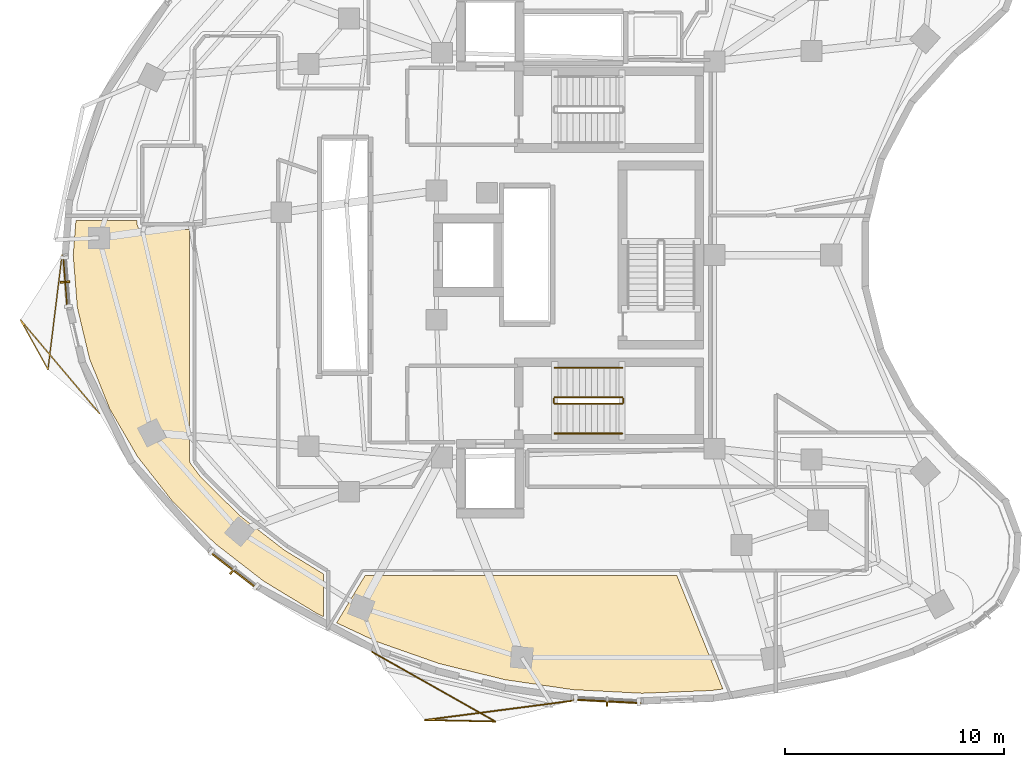
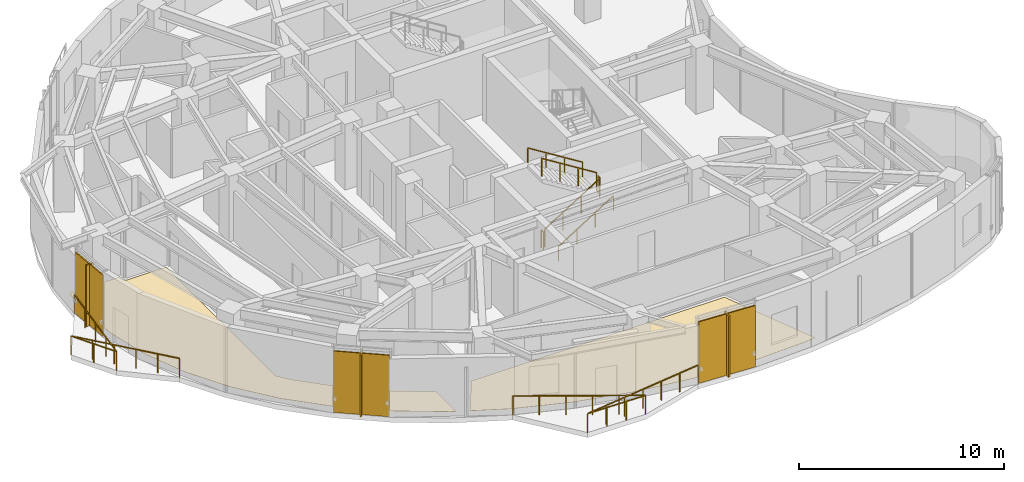
# One storey, part 11 of 13: 8 railings, 6 shading devices, 2 coverings.
"""IFC4 building model written with IfcOpenShell, lengths in metres."""

import ifcopenshell
import ifcopenshell.guid

model = None  # the IFC model being written
_history = None  # IfcOwnerHistory: only IFC2X3 demands one
_inside = {}  # id of a spatial element -> (the spatial element, [elements in it])
_under = {}  # id of a project, library or spatial element -> (it, [spatial elements below it])
_declared = {}  # id of a project -> (the project, [libraries it declares])
_typed = {}  # id of a type object -> (the type object, [elements of that type])
_made_of = {}  # id of a material, layer set ... -> (it, [elements and type objects made of it])


def new_model(schema):
    """Start an empty IFC model of exactly this schema.

    Asked for "IFC4X3", IfcOpenShell would pick the latest addendum, in which some entities
    have other attributes; the version numbers below select the first issue.
    IFC2X3 requires an IfcOwnerHistory on every rooted entity: one is made here for all.
    """
    global model, _history
    if schema == "IFC4X3":
        model = ifcopenshell.file(schema_version=(4, 3, 0, 0))
    else:
        model = ifcopenshell.file(schema=schema)
    _inside.clear()
    _under.clear()
    _declared.clear()
    _typed.clear()
    _made_of.clear()
    _history = None
    if model.schema == "IFC2X3":
        org = make("IfcOrganization", Name="unknown")
        user = make(
            "IfcPersonAndOrganization",
            ThePerson=make("IfcPerson", FamilyName="unknown"),
            TheOrganization=org,
        )
        app = make(
            "IfcApplication",
            ApplicationDeveloper=org,
            Version="unknown",
            ApplicationFullName="unknown",
            ApplicationIdentifier="unknown",
        )
        _history = make(
            "IfcOwnerHistory",
            OwningUser=user,
            OwningApplication=app,
            ChangeAction="ADDED",
            CreationDate=0,
        )
    return model


def make(cls, **values):
    """One entity of the class cls with the attributes given. An attribute that is None is left unset."""
    return model.create_entity(
        cls, **{name: value for name, value in values.items() if value is not None}
    )


def rooted(cls, **values):
    """An entity with a GlobalId (a new one), such as an element, a storey or a relation."""
    return make(cls, GlobalId=ifcopenshell.guid.new(), OwnerHistory=_history, **values)


def si_unit(unit_type, name, prefix=None):
    """IfcSIUnit, for example si_unit("LENGTHUNIT", "METRE", prefix="MILLI")."""
    return make("IfcSIUnit", UnitType=unit_type, Prefix=prefix, Name=name)


def assignment(units):
    """IfcUnitAssignment: the units of a project."""
    return None if units is None else make("IfcUnitAssignment", Units=units)


def point(xyz):
    """IfcCartesianPoint."""
    return None if xyz is None else make("IfcCartesianPoint", Coordinates=xyz)


def direction(xyz):
    """IfcDirection."""
    return None if xyz is None else make("IfcDirection", DirectionRatios=xyz)


def frame(location, z_axis=None, x_axis=None):
    """IfcAxis2Placement3D, a coordinate frame: its origin and axes. An axis left out is left unset."""
    return make(
        "IfcAxis2Placement3D",
        Location=point(location),
        Axis=direction(z_axis),
        RefDirection=direction(x_axis),
    )


def frame_2d(location, x_axis=None):
    """IfcAxis2Placement2D, a coordinate frame in the plane: its origin and x axis."""
    return make(
        "IfcAxis2Placement2D", Location=point(location), RefDirection=direction(x_axis)
    )


def origin():
    """The frame at (0, 0, 0) with its axes left unset."""
    return frame((0.0, 0.0, 0.0))


def origin_2d():
    """The frame at (0, 0) in the plane with its x axis left unset."""
    return frame_2d((0.0, 0.0))


def place(relative_to, where):
    """IfcLocalPlacement: puts the frame where relative to a parent placement (None: the world)."""
    return make(
        "IfcLocalPlacement", PlacementRelTo=relative_to, RelativePlacement=where
    )


def context(
    kind, dimensions, precision=None, world=None, true_north=None, identifier=None
):
    """IfcGeometricRepresentationContext, for example the 3D "Model" context."""
    return make(
        "IfcGeometricRepresentationContext",
        ContextIdentifier=identifier,
        ContextType=kind,
        CoordinateSpaceDimension=dimensions,
        Precision=precision,
        WorldCoordinateSystem=world,
        TrueNorth=true_north,
    )


def subcontext(parent, identifier, kind, view, scale=None):
    """IfcGeometricRepresentationSubContext, for example "Body" below "Model"."""
    return make(
        "IfcGeometricRepresentationSubContext",
        ContextIdentifier=identifier,
        ContextType=kind,
        ParentContext=parent,
        TargetScale=scale,
        TargetView=view,
    )


def project(units=None, contexts=None):
    """IfcProject with its units and contexts."""
    return rooted(
        "IfcProject",
        Name="project",
        RepresentationContexts=contexts,
        UnitsInContext=assignment(units),
    )


def spatial(cls, under=None, at=None, **own):
    """A site, building, storey or space (cls), placed at a placement, below another one or the project."""
    s = rooted(cls, ObjectPlacement=at, **own)
    if under is not None:
        _under.setdefault(under.id(), (under, []))[1].append(s)
    return s


def polyline(points):
    """IfcPolyline through the points."""
    return make("IfcPolyline", Points=[point(p) for p in points])


def profile(cls, at=None, kind="AREA", **sizes):
    """A parametric profile (cls). Its sizes go by their IFC names, for example OverallWidth=200.0."""
    return make(cls, ProfileType=kind, Position=at, **sizes)


def rectangle(**sizes):
    """IfcRectangleProfileDef."""
    return profile("IfcRectangleProfileDef", **sizes)


def outline(outer, holes=None, kind="AREA"):
    """IfcArbitraryClosedProfileDef: a profile drawn as a closed curve; with holes, ...WithVoids."""
    if holes is None:
        return make("IfcArbitraryClosedProfileDef", ProfileType=kind, OuterCurve=outer)
    return make(
        "IfcArbitraryProfileDefWithVoids",
        ProfileType=kind,
        OuterCurve=outer,
        InnerCurves=holes,
    )


def extrude(swept, where, along, depth):
    """IfcExtrudedAreaSolid: the profile swept, set in the frame where, extruded along a direction by depth."""
    return make(
        "IfcExtrudedAreaSolid",
        SweptArea=swept,
        Position=where,
        ExtrudedDirection=direction(along),
        Depth=depth,
    )


def shape(context_of_items, identifier, shape_type, items):
    """IfcShapeRepresentation: the items that make up one representation, for example the "Body"."""
    return make(
        "IfcShapeRepresentation",
        ContextOfItems=context_of_items,
        RepresentationIdentifier=identifier,
        RepresentationType=shape_type,
        Items=items,
    )


def material(Name=None, Category=None):
    """IfcMaterial."""
    return make("IfcMaterial", Name=Name, Category=Category)


def layer(
    of_material, thickness, ventilated=None, Name=None, Category=None, Priority=None
):
    """IfcMaterialLayer: one layer of a wall or slab, of a material (None: an air gap)."""
    return make(
        "IfcMaterialLayer",
        Material=of_material,
        LayerThickness=thickness,
        IsVentilated=ventilated,
        Name=Name,
        Category=Category,
        Priority=Priority,
    )


def layer_set(layers, Name=None):
    """IfcMaterialLayerSet."""
    return make("IfcMaterialLayerSet", MaterialLayers=layers, LayerSetName=Name)


def made_of(thing, what):
    """Note that an element or type object is made of a material, layer set ...; save() writes the relation."""
    if what is not None:
        _made_of.setdefault(what.id(), (what, []))[1].append(thing)
    return thing


def type_object(cls, material=None, **own):
    """A type object (cls), such as IfcWallType, which elements share."""
    return made_of(rooted(cls, **own), material)


def element(
    cls,
    number,
    at=None,
    inside=None,
    cuts=None,
    type_object=None,
    material=None,
    context=None,
    identifier="Body",
    shape_type=None,
    held_by="IfcProductDefinitionShape",
    body=None,
    shapes=None,
    **own,
):
    """One element of the class cls, such as IfcWall. Its Tag is "e" and its number.

    at: its placement. inside: the storey or other place that contains it. cuts: it is an
    opening in that element (IfcRelVoidsElement). A single representation is given by context,
    identifier, shape_type and body (its items); several are given by shapes. held_by: the class
    of the entity that holds the representations. save() writes the other relations.
    """
    e = rooted(cls, Tag="e%d" % number, ObjectPlacement=at, **own)
    if body is not None:
        shapes = [shape(context, identifier, shape_type, body)]
    if shapes is not None:
        e.Representation = make(held_by, Representations=shapes)
    if inside is not None:
        _inside.setdefault(inside.id(), (inside, []))[1].append(e)
    if cuts is not None:
        rooted(
            "IfcRelVoidsElement", RelatingBuildingElement=cuts, RelatedOpeningElement=e
        )
    if type_object is not None:
        _typed.setdefault(type_object.id(), (type_object, []))[1].append(e)
    return made_of(e, material)


def aggregate(whole, parts):
    """IfcRelAggregates: a whole, such as a stair, and the parts it consists of."""
    return rooted("IfcRelAggregates", RelatingObject=whole, RelatedObjects=parts)


def save(model, path):
    """Write the relations noted so far, then the file.

    IfcRelAggregates (storeys below a building ...), IfcRelContainedInSpatialStructure (elements
    in a storey), IfcRelDefinesByType, IfcRelAssociatesMaterial and IfcRelDeclares: one each for
    every whole, place, type object, material and project.
    """
    for whole, parts in _under.values():
        aggregate(whole, parts)
    for where, things in _inside.values():
        rooted(
            "IfcRelContainedInSpatialStructure",
            RelatedElements=things,
            RelatingStructure=where,
        )
    for kind, things in _typed.values():
        rooted("IfcRelDefinesByType", RelatedObjects=things, RelatingType=kind)
    for what, things in _made_of.values():
        rooted("IfcRelAssociatesMaterial", RelatedObjects=things, RelatingMaterial=what)
    for by, libraries in _declared.values():
        rooted("IfcRelDeclares", RelatingContext=by, RelatedDefinitions=libraries)
    model.write(path)


model = new_model("IFC4")

# Units and contexts
model_context = context("Model", 3, precision=1e-05, world=origin(), true_north=direction((0.0, 1.0)))
body_context = subcontext(model_context, "Body", "Model", "MODEL_VIEW")
ifc_project = project(units=[si_unit("LENGTHUNIT", "METRE"), si_unit("AREAUNIT", "SQUARE_METRE"), si_unit("VOLUMEUNIT", "CUBIC_METRE"), si_unit("PLANEANGLEUNIT", "RADIAN"), si_unit("MASSUNIT", "GRAM", prefix="KILO")], contexts=[model_context])

# Site, building, storey
site_placement = place(None, origin())
site = spatial("IfcSite", under=ifc_project, at=site_placement, CompositionType="ELEMENT")
building_placement = place(site_placement, origin())
building = spatial("IfcBuilding", under=site, at=building_placement, Name="Korentha Bioscience Tower", CompositionType="ELEMENT")
storey_placement = place(building_placement, frame((0.0, 0.0, 192.0)))
storey = spatial("IfcBuildingStorey", under=building, at=storey_placement, Name="L44", CompositionType="ELEMENT", Elevation=192.0)

# Railings
ifc_material_1 = material(Name="Stainless Steel 304", Category="steel")
railing_type_1 = type_object("IfcRailingType", Name="Brushed Stainless Stair Handrail 900", PredefinedType="HANDRAIL", material=ifc_material_1)
railing_1_placement = place(storey_placement, frame((30.25, 18.85009765625, 0.175048828125)))
element("IfcRailing", 1, at=railing_1_placement, inside=storey, type_object=railing_type_1, Name="L44 ST-2 stair handrail 1", PredefinedType="HANDRAIL", context=body_context, shape_type="SweptSolid", body=[
    extrude(rectangle(XDim=0.048095703125, YDim=0.048095703125, at=origin_2d()), frame((0.0, 0.0, 0.8759765625), z_axis=(0.847998304005, 0.0, 0.529998940003), x_axis=(0.0, 1.0, 0.0)), (0.0, 0.0, 1.0), 3.632080078125),
    extrude(rectangle(XDim=0.0419921875, YDim=0.0419921875, at=origin_2d()), origin(), (0.0, 0.0, 1.0), 0.851806640625),
    extrude(rectangle(XDim=0.0419921875, YDim=0.0419921875, at=origin_2d()), frame((1.026611328125, 0.0, 0.6416015625)), (0.0, 0.0, 1.0), 0.851806640625),
    extrude(rectangle(XDim=0.0419921875, YDim=0.0419921875, at=origin_2d()), frame((2.053466796875, 0.0, 1.283447265625)), (0.0, 0.0, 1.0), 0.851806640625),
    extrude(rectangle(XDim=0.0419921875, YDim=0.0419921875, at=origin_2d()), frame((3.080078125, 0.0, 1.925048828125)), (0.0, 0.0, 1.0), 0.851806640625),
])
railing_2_placement = place(storey_placement, frame((33.330078125, 21.85009765625, 2.27490234375)))
element("IfcRailing", 2, at=railing_2_placement, inside=storey, type_object=railing_type_1, Name="L44 ST-2 stair handrail 2", PredefinedType="HANDRAIL", context=body_context, shape_type="SweptSolid", body=[
    extrude(rectangle(XDim=0.048095703125, YDim=0.048095703125, at=origin_2d()), frame((0.0, 0.0, 0.8759765625), z_axis=(-0.847998304005, 0.0, 0.529998940003), x_axis=(0.0, -1.0, 0.0)), (0.0, 0.0, 1.0), 3.632080078125),
    extrude(rectangle(XDim=0.0419921875, YDim=0.0419921875, at=origin_2d()), origin(), (0.0, 0.0, 1.0), 0.851806640625),
    extrude(rectangle(XDim=0.0419921875, YDim=0.0419921875, at=origin_2d()), frame((-1.026611328125, 0.0, 0.6416015625)), (0.0, 0.0, 1.0), 0.851806640625),
    extrude(rectangle(XDim=0.0419921875, YDim=0.0419921875, at=origin_2d()), frame((-2.053466796875, 0.0, 1.283447265625)), (0.0, 0.0, 1.0), 0.851806640625),
    extrude(rectangle(XDim=0.0419921875, YDim=0.0419921875, at=origin_2d()), frame((-3.080078125, 0.0, 1.925048828125)), (0.0, 0.0, 1.0), 0.851806640625),
])
ifc_material_2 = material(Name="Laminated Tempered Safety Glass", Category="glass")
railing_type_2 = type_object("IfcRailingType", Name="Laminated Glass Balcony Guardrail 1150", PredefinedType="BALUSTRADE", material=ifc_material_2)
railing_3_placement = place(storey_placement, frame((7.736083984375, 27.0, 0.0)))
element("IfcRailing", 3, at=railing_3_placement, inside=storey, type_object=railing_type_2, Name="L44 Balcony Guardrail 02", PredefinedType="BALUSTRADE", context=body_context, shape_type="SweptSolid", body=[
    extrude(rectangle(XDim=0.048095703125, YDim=0.048095703125, at=origin_2d()), frame((0.0, 0.0, 1.1259765625), z_axis=(-0.122025166092, -0.992527006605, 0.0), x_axis=(0.992527006605, -0.122025166092, 0.0)), (0.0, 0.0, 1.0), 5.263916015625),
    extrude(rectangle(XDim=0.048095703125, YDim=0.048095703125, at=origin_2d()), frame((-0.642333984375, -5.224609375, 1.1259765625), z_axis=(-0.485098789135, 0.874459355705, 0.0), x_axis=(-0.874459355705, -0.485098789135, 0.0)), (0.0, 0.0, 1.0), 2.5908203125),
    extrude(rectangle(XDim=0.048095703125, YDim=0.048095703125, at=origin_2d()), frame((-1.899169921875, -2.958984375, 1.1259765625), z_axis=(0.644919398028, -0.76425059375, 0.0), x_axis=(0.76425059375, 0.644919398028, 0.0)), (0.0, 0.0, 1.0), 5.60986328125),
    extrude(rectangle(XDim=0.0419921875, YDim=0.0419921875, at=origin_2d()), origin(), (0.0, 0.0, 1.0), 1.101806640625),
    extrude(rectangle(XDim=0.0419921875, YDim=0.0419921875, at=origin_2d()), frame((-0.16064453125, -1.30615234375, 0.0)), (0.0, 0.0, 1.0), 1.101806640625),
    extrude(rectangle(XDim=0.0419921875, YDim=0.0419921875, at=origin_2d()), frame((-0.3212890625, -2.6123046875, 0.0)), (0.0, 0.0, 1.0), 1.101806640625),
    extrude(rectangle(XDim=0.0419921875, YDim=0.0419921875, at=origin_2d()), frame((-0.481689453125, -3.91845703125, 0.0)), (0.0, 0.0, 1.0), 1.101806640625),
    extrude(rectangle(XDim=0.0419921875, YDim=0.0419921875, at=origin_2d()), frame((-0.642333984375, -5.224609375, 0.0)), (0.0, 0.0, 1.0), 1.101806640625),
    extrude(rectangle(XDim=0.0419921875, YDim=0.0419921875, at=origin_2d()), frame((-1.270751953125, -4.091796875, 0.0)), (0.0, 0.0, 1.0), 1.101806640625),
    extrude(rectangle(XDim=0.0419921875, YDim=0.0419921875, at=origin_2d()), frame((-1.899169921875, -2.958984375, 0.0)), (0.0, 0.0, 1.0), 1.101806640625),
    extrude(rectangle(XDim=0.0419921875, YDim=0.0419921875, at=origin_2d()), frame((-1.175537109375, -3.81640625, 0.0)), (0.0, 0.0, 1.0), 1.101806640625),
    extrude(rectangle(XDim=0.0419921875, YDim=0.0419921875, at=origin_2d()), frame((-0.451904296875, -4.673828125, 0.0)), (0.0, 0.0, 1.0), 1.101806640625),
    extrude(rectangle(XDim=0.0419921875, YDim=0.0419921875, at=origin_2d()), frame((0.271484375, -5.531494140625, 0.0)), (0.0, 0.0, 1.0), 1.101806640625),
    extrude(rectangle(XDim=0.0419921875, YDim=0.0419921875, at=origin_2d()), frame((0.9951171875, -6.388916015625, 0.0)), (0.0, 0.0, 1.0), 1.101806640625),
    extrude(rectangle(XDim=0.0419921875, YDim=0.0419921875, at=origin_2d()), frame((1.71875, -7.246337890625, 0.0)), (0.0, 0.0, 1.0), 1.101806640625),
])
railing_4_placement = place(storey_placement, frame((21.907470703125, 8.871337890625, 0.0)))
element("IfcRailing", 4, at=railing_4_placement, inside=storey, type_object=railing_type_2, Name="L44 Balcony Guardrail 03", PredefinedType="BALUSTRADE", context=body_context, shape_type="SweptSolid", body=[
    extrude(rectangle(XDim=0.048095703125, YDim=0.048095703125, at=origin_2d()), frame((0.0, 0.0, 1.1259765625), z_axis=(0.870664024138, -0.491878193327, 0.0), x_axis=(0.491878193327, 0.870664024138, 0.0)), (0.0, 0.0, 1.0), 6.4697265625),
    extrude(rectangle(XDim=0.048095703125, YDim=0.048095703125, at=origin_2d()), frame((5.633056640625, -3.182373046875, 1.1259765625), z_axis=(-0.99977218626, 0.021344216559, 0.0), x_axis=(-0.021344216559, -0.99977218626, 0.0)), (0.0, 0.0, 1.0), 3.2255859375),
    extrude(rectangle(XDim=0.048095703125, YDim=0.048095703125, at=origin_2d()), frame((2.408203125, -3.113525390625, 1.1259765625), z_axis=(0.99157569469, 0.129528536236, 0.0), x_axis=(-0.129528536236, 0.99157569469, 0.0)), (0.0, 0.0, 1.0), 6.77978515625),
    extrude(rectangle(XDim=0.0419921875, YDim=0.0419921875, at=origin_2d()), origin(), (0.0, 0.0, 1.0), 1.101806640625),
    extrude(rectangle(XDim=0.0419921875, YDim=0.0419921875, at=origin_2d()), frame((1.126708984375, -0.636474609375, 0.0)), (0.0, 0.0, 1.0), 1.101806640625),
    extrude(rectangle(XDim=0.0419921875, YDim=0.0419921875, at=origin_2d()), frame((2.253173828125, -1.27294921875, 0.0)), (0.0, 0.0, 1.0), 1.101806640625),
    extrude(rectangle(XDim=0.0419921875, YDim=0.0419921875, at=origin_2d()), frame((3.3798828125, -1.909423828125, 0.0)), (0.0, 0.0, 1.0), 1.101806640625),
    extrude(rectangle(XDim=0.0419921875, YDim=0.0419921875, at=origin_2d()), frame((4.50634765625, -2.5458984375, 0.0)), (0.0, 0.0, 1.0), 1.101806640625),
    extrude(rectangle(XDim=0.0419921875, YDim=0.0419921875, at=origin_2d()), frame((5.633056640625, -3.182373046875, 0.0)), (0.0, 0.0, 1.0), 1.101806640625),
    extrude(rectangle(XDim=0.0419921875, YDim=0.0419921875, at=origin_2d()), frame((4.55810546875, -3.159423828125, 0.0)), (0.0, 0.0, 1.0), 1.101806640625),
    extrude(rectangle(XDim=0.0419921875, YDim=0.0419921875, at=origin_2d()), frame((3.483154296875, -3.136474609375, 0.0)), (0.0, 0.0, 1.0), 1.101806640625),
    extrude(rectangle(XDim=0.0419921875, YDim=0.0419921875, at=origin_2d()), frame((2.408203125, -3.113525390625, 0.0)), (0.0, 0.0, 1.0), 1.101806640625),
    extrude(rectangle(XDim=0.0419921875, YDim=0.0419921875, at=origin_2d()), frame((3.528564453125, -2.96728515625, 0.0)), (0.0, 0.0, 1.0), 1.101806640625),
    extrude(rectangle(XDim=0.0419921875, YDim=0.0419921875, at=origin_2d()), frame((4.649169921875, -2.82080078125, 0.0)), (0.0, 0.0, 1.0), 1.101806640625),
    extrude(rectangle(XDim=0.0419921875, YDim=0.0419921875, at=origin_2d()), frame((5.76953125, -2.67431640625, 0.0)), (0.0, 0.0, 1.0), 1.101806640625),
    extrude(rectangle(XDim=0.0419921875, YDim=0.0419921875, at=origin_2d()), frame((6.889892578125, -2.528076171875, 0.0)), (0.0, 0.0, 1.0), 1.101806640625),
    extrude(rectangle(XDim=0.0419921875, YDim=0.0419921875, at=origin_2d()), frame((8.010498046875, -2.3818359375, 0.0)), (0.0, 0.0, 1.0), 1.101806640625),
    extrude(rectangle(XDim=0.0419921875, YDim=0.0419921875, at=origin_2d()), frame((9.130859375, -2.2353515625, 0.0)), (0.0, 0.0, 1.0), 1.101806640625),
])
ifc_material_3 = material(Name="Painted Steel S275", Category="steel")
railing_type_3 = type_object("IfcRailingType", Name="Painted Steel Stair Well Guardrail 1100", PredefinedType="GUARDRAIL", material=ifc_material_3)
railing_5_placement = place(storey_placement, frame((30.25, 20.199951171875, 0.175048828125)))
element("IfcRailing", 5, at=railing_5_placement, inside=storey, type_object=railing_type_3, Name="L44 ST-2 stair guard 1", PredefinedType="GUARDRAIL", context=body_context, shape_type="SweptSolid", body=[
    extrude(rectangle(XDim=0.048095703125, YDim=0.048095703125, at=origin_2d()), frame((0.0, 0.0, 1.076171875), z_axis=(0.847998304005, 0.0, 0.529998940003), x_axis=(0.0, 1.0, 0.0)), (0.0, 0.0, 1.0), 3.632080078125),
    extrude(rectangle(XDim=0.0419921875, YDim=0.0419921875, at=origin_2d()), origin(), (0.0, 0.0, 1.0), 1.052001953125),
    extrude(rectangle(XDim=0.0419921875, YDim=0.0419921875, at=origin_2d()), frame((1.026611328125, 0.0, 0.6416015625)), (0.0, 0.0, 1.0), 1.052001953125),
    extrude(rectangle(XDim=0.0419921875, YDim=0.0419921875, at=origin_2d()), frame((2.053466796875, 0.0, 1.283447265625)), (0.0, 0.0, 1.0), 1.052001953125),
    extrude(rectangle(XDim=0.0419921875, YDim=0.0419921875, at=origin_2d()), frame((3.080078125, 0.0, 1.925048828125)), (0.0, 0.0, 1.0), 1.052001953125),
])
railing_6_placement = place(storey_placement, frame((33.3798828125, 20.25, 2.10009765625)))
element("IfcRailing", 6, at=railing_6_placement, inside=storey, type_object=railing_type_3, Name="L44 ST-2 stair guard 2", PredefinedType="GUARDRAIL", context=body_context, shape_type="SweptSolid", body=[
    extrude(rectangle(XDim=0.048095703125, YDim=0.048095703125, at=origin_2d()), frame((0.0, 0.0, 1.076171875), z_axis=(0.0, 1.0, 0.0), x_axis=(-1.0, 0.0, 0.0)), (0.0, 0.0, 1.0), 0.199951171875),
    extrude(rectangle(XDim=0.0419921875, YDim=0.0419921875, at=origin_2d()), origin(), (0.0, 0.0, 1.0), 1.052001953125),
    extrude(rectangle(XDim=0.0419921875, YDim=0.0419921875, at=origin_2d()), frame((0.0, 0.199951171875, 0.0)), (0.0, 0.0, 1.0), 1.052001953125),
])
railing_7_placement = place(storey_placement, frame((33.330078125, 20.5, 2.27490234375)))
element("IfcRailing", 7, at=railing_7_placement, inside=storey, type_object=railing_type_3, Name="L44 ST-2 stair guard 3", PredefinedType="GUARDRAIL", context=body_context, shape_type="SweptSolid", body=[
    extrude(rectangle(XDim=0.048095703125, YDim=0.048095703125, at=origin_2d()), frame((0.0, 0.0, 1.076171875), z_axis=(-0.847998304005, 0.0, 0.529998940003), x_axis=(0.0, -1.0, 0.0)), (0.0, 0.0, 1.0), 3.632080078125),
    extrude(rectangle(XDim=0.0419921875, YDim=0.0419921875, at=origin_2d()), origin(), (0.0, 0.0, 1.0), 1.052001953125),
    extrude(rectangle(XDim=0.0419921875, YDim=0.0419921875, at=origin_2d()), frame((-1.026611328125, 0.0, 0.6416015625)), (0.0, 0.0, 1.0), 1.052001953125),
    extrude(rectangle(XDim=0.0419921875, YDim=0.0419921875, at=origin_2d()), frame((-2.053466796875, 0.0, 1.283447265625)), (0.0, 0.0, 1.0), 1.052001953125),
    extrude(rectangle(XDim=0.0419921875, YDim=0.0419921875, at=origin_2d()), frame((-3.080078125, 0.0, 1.925048828125)), (0.0, 0.0, 1.0), 1.052001953125),
])
railing_8_placement = place(storey_placement, frame((30.199951171875, 20.25, 0.0)))
element("IfcRailing", 8, at=railing_8_placement, inside=storey, type_object=railing_type_3, Name="L44 ST-2 stair guard 4", PredefinedType="GUARDRAIL", context=body_context, shape_type="SweptSolid", body=[
    extrude(rectangle(XDim=0.048095703125, YDim=0.048095703125, at=origin_2d()), frame((0.0, 0.0, 1.076171875), z_axis=(0.0, 1.0, 0.0), x_axis=(-1.0, 0.0, 0.0)), (0.0, 0.0, 1.0), 0.199951171875),
    extrude(rectangle(XDim=0.0419921875, YDim=0.0419921875, at=origin_2d()), origin(), (0.0, 0.0, 1.0), 1.052001953125),
    extrude(rectangle(XDim=0.0419921875, YDim=0.0419921875, at=origin_2d()), frame((0.0, 0.199951171875, 0.0)), (0.0, 0.0, 1.0), 1.052001953125),
])

# Shading devices
ifc_material_4 = material(Name="Perforated Stone-Ceramic Composite", Category="masonry")
ifc_layer_1 = layer(ifc_material_4, 0.06494140625, Name="Perforated Stone-Ceramic Composite")
ifc_layer_set_1 = layer_set([ifc_layer_1], Name="Perforated Stone-Ceramic Composite (CS-01)")
shading_device_type_1 = type_object("IfcShadingDeviceType", Name="Perforated Stone-Ceramic Solar Screen Panel 65", PredefinedType="USERDEFINED", material=ifc_layer_set_1)
shading_device_1_placement = place(storey_placement, frame((7.89208984375, 25.773193359375, 0.0), z_axis=(0.0, 0.0, 1.0), x_axis=(0.078030772566, -0.996950950916, 0.0)))
element("IfcShadingDevice", 9, at=shading_device_1_placement, inside=storey, type_object=shading_device_type_1, Name="CW-L44-19 Perforated Stone-Ceramic Solar Screen", ObjectType="SCREEN", PredefinedType="USERDEFINED", context=body_context, shape_type="SweptSolid", body=[
    extrude(rectangle(XDim=2.370361328125, YDim=0.06494140625, at=origin_2d()), origin(), (0.0, 0.0, 1.0), 3.64990234375),
])
shading_device_2_placement = place(storey_placement, frame((15.5576171875, 12.611572265625, 0.0), z_axis=(0.0, 0.0, 1.0), x_axis=(0.790546796919, -0.612401634454, 0.0)))
element("IfcShadingDevice", 10, at=shading_device_2_placement, inside=storey, type_object=shading_device_type_1, Name="CW-L44-25 Perforated Stone-Ceramic Solar Screen", ObjectType="SCREEN", PredefinedType="USERDEFINED", context=body_context, shape_type="SweptSolid", body=[
    extrude(rectangle(XDim=2.759765625, YDim=0.06494140625, at=origin_2d()), origin(), (0.0, 0.0, 1.0), 3.64990234375),
])
shading_device_3_placement = place(storey_placement, frame((32.642578125, 6.612060546875, 0.0), z_axis=(0.0, 0.0, 1.0), x_axis=(0.998637677307, -0.052180355139, 0.0)))
element("IfcShadingDevice", 11, at=shading_device_3_placement, inside=storey, type_object=shading_device_type_1, Name="CW-L44-31 Perforated Stone-Ceramic Solar Screen", ObjectType="SCREEN", PredefinedType="USERDEFINED", context=body_context, shape_type="SweptSolid", body=[
    extrude(rectangle(XDim=3.106689453125, YDim=0.06494140625, at=origin_2d()), origin(), (0.0, 0.0, 1.0), 3.64990234375),
])

# Coverings
ifc_material_5 = material(Name="Chemical-Resistant Epoxy Resin", Category="polymer")
ifc_layer_2 = layer(ifc_material_5, 0.011962890625, Name="Chemical-Resistant Epoxy Resin")
ifc_layer_set_2 = layer_set([ifc_layer_2], Name="Chemical-Resistant Epoxy Resin (FL-EPX)")
covering_type = type_object("IfcCoveringType", Name="Seamless Epoxy Laboratory Flooring 12", PredefinedType="FLOORING", material=ifc_layer_set_2)
covering_1_placement = place(storey_placement, origin())
element("IfcCovering", 12, at=covering_1_placement, inside=storey, type_object=covering_type, Name="L44 Biomechanical Motion Analysis Lab 01 Floor Finish", PredefinedType="FLOORING", context=body_context, shape_type="SweptSolid", body=[
    extrude(outline(polyline([(8.37109375, 28.577880859375), (11.169921875, 28.577880859375), (11.17041015625, 28.38818359375), (11.1923828125, 28.30126953125), (11.2626953125, 28.215576171875), (11.36572265625, 28.172607421875), (13.570068359375, 28.169921875), (13.570068359375, 17.58251953125), (13.582763671875, 17.507080078125), (14.073974609375, 16.859619140625), (15.849609375, 15.10546875), (17.905517578125, 13.512939453125), (19.677978515625, 12.435302734375), (19.677978515625, 10.48291015625), (19.410888671875, 10.6083984375), (16.94091796875, 12.109375), (14.727294921875, 13.82421875), (12.801025390625, 15.726806640625), (11.189453125, 17.788330078125), (9.914306640625, 19.978271484375), (8.991943359375, 22.26513671875), (8.43408203125, 24.616455078125), (8.24755859375, 27.0), (8.37109375, 28.577880859375)])), origin(), (0.0, 0.0, 1.0), 0.011962890625),
])
covering_2_placement = place(storey_placement, origin())
element("IfcCovering", 13, at=covering_2_placement, inside=storey, type_object=covering_type, Name="L44 Research Colloquium Seminar Room 03 Floor Finish", PredefinedType="FLOORING", context=body_context, shape_type="SweptSolid", body=[
    extrude(outline(polyline([(21.5888671875, 12.3701171875), (35.8212890625, 12.3701171875), (37.929931640625, 7.17724609375), (37.402099609375, 7.106201171875), (34.243896484375, 6.97900390625), (31.0888671875, 7.14404296875), (27.983154296875, 7.598388671875), (24.972412109375, 8.33544921875), (22.10107421875, 9.343994140625), (20.28369140625, 10.197998046875), (21.5888671875, 12.3701171875)])), origin(), (0.0, 0.0, 1.0), 0.011962890625),
])

# Shading devices
ifc_material_6 = material(Name="Honed Travertine Limestone", Category="masonry")
ifc_layer_3 = layer(ifc_material_6, 0.080078125, Name="Honed Travertine Limestone")
ifc_layer_set_3 = layer_set([ifc_layer_3], Name="Honed Travertine Limestone (CS-02)")
shading_device_type_2 = type_object("IfcShadingDeviceType", Name="Vertical Honed Limestone Sunshade Fin 80x420", PredefinedType="USERDEFINED", material=ifc_layer_set_3)
for number, where, z_axis, x_axis, name in (
    (14, (7.872314453125, 25.771728515625, 0.0), (0.0, 0.0, 1.0), (0.078030772566, -0.996950950916, 0.0), "CW-L44-19 Limestone Sunshade Fin"),
    (15, (15.54541015625, 12.595947265625, 0.0), (0.0, 0.0, 1.0), (0.790546796919, -0.612401634454, 0.0), "CW-L44-25 Limestone Sunshade Fin"),
    (16, (32.6416015625, 6.59228515625, 0.0), (0.0, 0.0, 1.0), (0.998637677307, -0.052180355139, 0.0), "CW-L44-31 Limestone Sunshade Fin"),
):
    element("IfcShadingDevice", number, at=place(storey_placement, frame(where, z_axis=z_axis, x_axis=x_axis)), inside=storey, type_object=shading_device_type_2, Name=name, ObjectType="SCREEN", PredefinedType="USERDEFINED", context=body_context, shape_type="SweptSolid", body=[
        extrude(rectangle(XDim=0.080078125, YDim=0.419921875, at=origin_2d()), origin(), (0.0, 0.0, 1.0), 3.64990234375),
    ])

save(model, "model.ifc")
